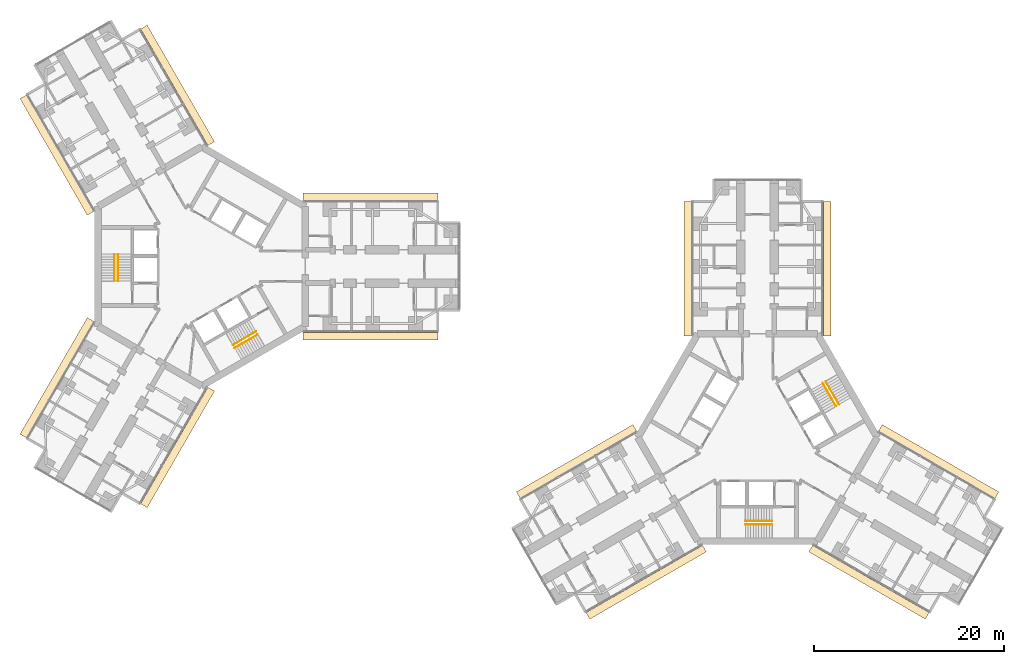
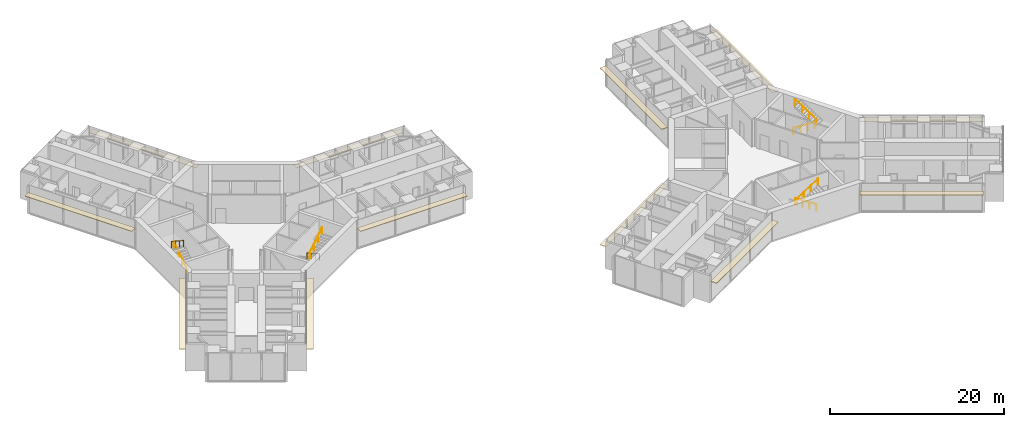
# One storey, part 24 of 24: 12 coverings, 8 railings.
"""IFC4 building model written with IfcOpenShell, lengths in metres."""

from ifc_helpers import new_model, si_unit, direction, frame, origin, origin_2d, place, context, subcontext, project, spatial, rectangle, circle, extrude, material, layer, layer_set, type_object, element, save


model = new_model("IFC4")

# Units and contexts
model_context = context("Model", 3, precision=1e-05, world=origin(), true_north=direction((0.0, 1.0)))
body_context = subcontext(model_context, "Body", "Model", "MODEL_VIEW")
ifc_project = project(units=[si_unit("LENGTHUNIT", "METRE"), si_unit("AREAUNIT", "SQUARE_METRE"), si_unit("VOLUMEUNIT", "CUBIC_METRE"), si_unit("PLANEANGLEUNIT", "RADIAN"), si_unit("MASSUNIT", "GRAM", prefix="KILO")], contexts=[model_context])

# Site, building, storey
site_placement = place(None, origin())
site = spatial("IfcSite", under=ifc_project, at=site_placement, CompositionType="ELEMENT")
building_placement = place(site_placement, origin())
building = spatial("IfcBuilding", under=site, at=building_placement, Name="Upepo Twin Towers", CompositionType="ELEMENT")
storey_placement = place(building_placement, frame((0.0, 0.0, 52.5)))
storey = spatial("IfcBuildingStorey", under=building, at=storey_placement, Name="L12", CompositionType="ELEMENT", Elevation=52.5)

# Coverings
ifc_material_1 = material(Name="Anodised aluminium, pale silver", Category="aluminium")
ifc_layer = layer(ifc_material_1, 0.080078125)
ifc_layer_set = layer_set([ifc_layer], Name="Brise-soleil blade 800 pale aluminium")
covering_type = type_object("IfcCoveringType", Name="Brise-soleil blade 800 pale aluminium", PredefinedType="USERDEFINED", material=ifc_layer_set)
for number, where, z_axis, x_axis, name in (
    (1, (17.7685546875, 7.330078125, 2.909912109375), (0.0, 0.0, 1.0), (1.0, 0.0, 0.0), "T1 L12 wing A brise-soleil L"),
    (2, (17.7685546875, -7.330078125, 2.909912109375), (0.0, 0.0, 1.0), (1.0, 0.0, 0.0), "T1 L12 wing A brise-soleil R"),
    (3, (-15.232177734375, 11.722900390625, 2.909912109375), (0.0, 0.0, 1.0), (-0.50000003023, 0.866025386331, 0.0), "T1 L12 wing B brise-soleil L"),
    (4, (-2.536376953125, 19.052978515625, 2.909912109375), (0.0, 0.0, 1.0), (-0.50000003023, 0.866025386331, 0.0), "T1 L12 wing B brise-soleil R"),
    (5, (-2.536376953125, -19.052978515625, 2.909912109375), (0.0, 0.0, 1.0), (-0.50000003023, -0.866025386331, 0.0), "T1 L12 wing C brise-soleil L"),
    (6, (-15.232177734375, -11.722900390625, 2.909912109375), (0.0, 0.0, 1.0), (-0.50000003023, -0.866025386331, 0.0), "T1 L12 wing C brise-soleil R"),
    (7, (51.169921875, -0.2314453125, 2.909912109375), (0.0, 0.0, 1.0), (0.0, 1.0, 0.0), "T2 L12 wing A brise-soleil L"),
    (8, (65.830078125, -0.2314453125, 2.909912109375), (0.0, 0.0, 1.0), (0.0, 1.0, 0.0), "T2 L12 wing A brise-soleil R"),
    (9, (46.777099609375, -33.232177734375, 2.909912109375), (0.0, 0.0, 1.0), (-0.866025386331, -0.50000003023, 0.0), "T2 L12 wing B brise-soleil L"),
    (10, (39.447021484375, -20.536376953125, 2.909912109375), (0.0, 0.0, 1.0), (-0.866025386331, -0.50000003023, 0.0), "T2 L12 wing B brise-soleil R"),
    (11, (77.552978515625, -20.536376953125, 2.909912109375), (0.0, 0.0, 1.0), (0.866025386331, -0.50000003023, 0.0), "T2 L12 wing C brise-soleil L"),
    (12, (70.222900390625, -33.232177734375, 2.909912109375), (0.0, 0.0, 1.0), (0.866025386331, -0.50000003023, 0.0), "T2 L12 wing C brise-soleil R"),
):
    element("IfcCovering", number, at=place(storey_placement, frame(where, z_axis=z_axis, x_axis=x_axis)), inside=storey, type_object=covering_type, Name=name, ObjectType="SUNSHADE", PredefinedType="USERDEFINED", context=body_context, shape_type="SweptSolid", body=[
        extrude(rectangle(XDim=14.162841796875, YDim=0.800048828125, at=origin_2d()), origin(), (0.0, 0.0, 1.0), 0.080078125),
    ])

# Railings
ifc_material_2 = material(Name="Stainless steel", Category="steel")
railing_type = type_object("IfcRailingType", Name="Stair handrail 900", PredefinedType="HANDRAIL", material=ifc_material_2)
railing_1_placement = place(storey_placement, frame((-8.800048828125, -1.52001953125, 0.181884765625)))
element("IfcRailing", 13, at=railing_1_placement, inside=storey, type_object=railing_type, Name="T1 stair S1 L12 handrail 1", PredefinedType="HANDRAIL", context=body_context, shape_type="SweptSolid", body=[
    extrude(circle(Radius=0.02392578125, at=origin_2d()), frame((0.0, 0.0, 0.8759765625), z_axis=(0.0, 0.838705829183, 0.544584733623), x_axis=(-1.0, 0.0, 0.0)), (0.0, 0.0, 1.0), 3.338623046875),
    extrude(circle(Radius=0.02099609375, at=origin_2d()), origin(), (0.0, 0.0, 1.0), 0.851806640625),
    extrude(circle(Radius=0.02099609375, at=origin_2d()), frame((0.0, 0.933349609375, 0.60595703125)), (0.0, 0.0, 1.0), 0.851806640625),
    extrude(circle(Radius=0.02099609375, at=origin_2d()), frame((0.0, 1.86669921875, 1.212158203125)), (0.0, 0.0, 1.0), 0.851806640625),
    extrude(circle(Radius=0.02099609375, at=origin_2d()), frame((0.0, 2.800048828125, 1.818115234375)), (0.0, 0.0, 1.0), 0.851806640625),
])
railing_2_placement = place(storey_placement, frame((-9.158447265625, 1.280029296875, 2.181884765625)))
element("IfcRailing", 14, at=railing_2_placement, inside=storey, type_object=railing_type, Name="T1 stair S1 L12 handrail 2", PredefinedType="HANDRAIL", context=body_context, shape_type="SweptSolid", body=[
    extrude(circle(Radius=0.02392578125, at=origin_2d()), frame((0.0, 0.0, 0.8759765625), z_axis=(0.0, -0.838705829183, 0.544584733623), x_axis=(1.0, 0.0, 0.0)), (0.0, 0.0, 1.0), 3.338623046875),
    extrude(circle(Radius=0.02099609375, at=origin_2d()), origin(), (0.0, 0.0, 1.0), 0.851806640625),
    extrude(circle(Radius=0.02099609375, at=origin_2d()), frame((0.0, -0.933349609375, 0.60595703125)), (0.0, 0.0, 1.0), 0.851806640625),
    extrude(circle(Radius=0.02099609375, at=origin_2d()), frame((0.0, -1.86669921875, 1.212158203125)), (0.0, 0.0, 1.0), 0.851806640625),
    extrude(circle(Radius=0.02099609375, at=origin_2d()), frame((0.0, -2.800048828125, 1.818115234375)), (0.0, 0.0, 1.0), 0.851806640625),
])
railing_3_placement = place(storey_placement, frame((5.71630859375, -6.861083984375, 0.181884765625)))
element("IfcRailing", 15, at=railing_3_placement, inside=storey, type_object=railing_type, Name="T1 stair S2 L12 handrail 1", PredefinedType="HANDRAIL", context=body_context, shape_type="SweptSolid", body=[
    extrude(circle(Radius=0.02392578125, at=origin_2d()), frame((0.0, 0.0, 0.8759765625), z_axis=(-0.726336304947, -0.419332699614, 0.544605966869), x_axis=(0.49998411664, -0.866034573852, 0.0)), (0.0, 0.0, 1.0), 3.33837890625),
    extrude(circle(Radius=0.02099609375, at=origin_2d()), origin(), (0.0, 0.0, 1.0), 0.851806640625),
    extrude(circle(Radius=0.02099609375, at=origin_2d()), frame((-0.808349609375, -0.466552734375, 0.60595703125)), (0.0, 0.0, 1.0), 0.851806640625),
    extrude(circle(Radius=0.02099609375, at=origin_2d()), frame((-1.616455078125, -0.933349609375, 1.212158203125)), (0.0, 0.0, 1.0), 0.851806640625),
    extrude(circle(Radius=0.02099609375, at=origin_2d()), frame((-2.4248046875, -1.39990234375, 1.818115234375)), (0.0, 0.0, 1.0), 0.851806640625),
])
railing_4_placement = place(storey_placement, frame((3.470703125, -8.5712890625, 2.181884765625)))
element("IfcRailing", 16, at=railing_4_placement, inside=storey, type_object=railing_type, Name="T1 stair S2 L12 handrail 2", PredefinedType="HANDRAIL", context=body_context, shape_type="SweptSolid", body=[
    extrude(circle(Radius=0.02392578125, at=origin_2d()), frame((0.0, 0.0, 0.8759765625), z_axis=(0.726336304947, 0.419332699614, 0.544605966869), x_axis=(-0.49998411664, 0.866034573852, 0.0)), (0.0, 0.0, 1.0), 3.33837890625),
    extrude(circle(Radius=0.02099609375, at=origin_2d()), origin(), (0.0, 0.0, 1.0), 0.851806640625),
    extrude(circle(Radius=0.02099609375, at=origin_2d()), frame((0.808349609375, 0.466552734375, 0.60595703125)), (0.0, 0.0, 1.0), 0.851806640625),
    extrude(circle(Radius=0.02099609375, at=origin_2d()), frame((1.616455078125, 0.933349609375, 1.212158203125)), (0.0, 0.0, 1.0), 0.851806640625),
    extrude(circle(Radius=0.02099609375, at=origin_2d()), frame((2.4248046875, 1.39990234375, 1.818115234375)), (0.0, 0.0, 1.0), 0.851806640625),
])
railing_5_placement = place(storey_placement, frame((60.02001953125, -26.800048828125, 0.181884765625)))
element("IfcRailing", 17, at=railing_5_placement, inside=storey, type_object=railing_type, Name="T2 stair S1 L12 handrail 1", PredefinedType="HANDRAIL", context=body_context, shape_type="SweptSolid", body=[
    extrude(circle(Radius=0.02392578125, at=origin_2d()), frame((0.0, 0.0, 0.8759765625), z_axis=(-0.838705829183, 0.0, 0.544584733623), x_axis=(0.0, -1.0, 0.0)), (0.0, 0.0, 1.0), 3.338623046875),
    extrude(circle(Radius=0.02099609375, at=origin_2d()), origin(), (0.0, 0.0, 1.0), 0.851806640625),
    extrude(circle(Radius=0.02099609375, at=origin_2d()), frame((-0.933349609375, 0.0, 0.60595703125)), (0.0, 0.0, 1.0), 0.851806640625),
    extrude(circle(Radius=0.02099609375, at=origin_2d()), frame((-1.86669921875, 0.0, 1.212158203125)), (0.0, 0.0, 1.0), 0.851806640625),
    extrude(circle(Radius=0.02099609375, at=origin_2d()), frame((-2.800048828125, 0.0, 1.818115234375)), (0.0, 0.0, 1.0), 0.851806640625),
])
railing_6_placement = place(storey_placement, frame((57.219970703125, -27.158447265625, 2.181884765625)))
element("IfcRailing", 18, at=railing_6_placement, inside=storey, type_object=railing_type, Name="T2 stair S1 L12 handrail 2", PredefinedType="HANDRAIL", context=body_context, shape_type="SweptSolid", body=[
    extrude(circle(Radius=0.02392578125, at=origin_2d()), frame((0.0, 0.0, 0.8759765625), z_axis=(0.838705829183, 0.0, 0.544584733623), x_axis=(0.0, 1.0, 0.0)), (0.0, 0.0, 1.0), 3.338623046875),
    extrude(circle(Radius=0.02099609375, at=origin_2d()), origin(), (0.0, 0.0, 1.0), 0.851806640625),
    extrude(circle(Radius=0.02099609375, at=origin_2d()), frame((0.933349609375, 0.0, 0.60595703125)), (0.0, 0.0, 1.0), 0.851806640625),
    extrude(circle(Radius=0.02099609375, at=origin_2d()), frame((1.86669921875, 0.0, 1.212158203125)), (0.0, 0.0, 1.0), 0.851806640625),
    extrude(circle(Radius=0.02099609375, at=origin_2d()), frame((2.800048828125, 0.0, 1.818115234375)), (0.0, 0.0, 1.0), 0.851806640625),
])
railing_7_placement = place(storey_placement, frame((65.361083984375, -12.28369140625, 0.181884765625)))
element("IfcRailing", 19, at=railing_7_placement, inside=storey, type_object=railing_type, Name="T2 stair S2 L12 handrail 1", PredefinedType="HANDRAIL", context=body_context, shape_type="SweptSolid", body=[
    extrude(circle(Radius=0.02392578125, at=origin_2d()), frame((0.0, 0.0, 0.8759765625), z_axis=(0.419332699614, -0.726336304947, 0.544605966869), x_axis=(0.866034573852, 0.49998411664, 0.0)), (0.0, 0.0, 1.0), 3.33837890625),
    extrude(circle(Radius=0.02099609375, at=origin_2d()), origin(), (0.0, 0.0, 1.0), 0.851806640625),
    extrude(circle(Radius=0.02099609375, at=origin_2d()), frame((0.466552734375, -0.808349609375, 0.60595703125)), (0.0, 0.0, 1.0), 0.851806640625),
    extrude(circle(Radius=0.02099609375, at=origin_2d()), frame((0.933349609375, -1.616455078125, 1.212158203125)), (0.0, 0.0, 1.0), 0.851806640625),
    extrude(circle(Radius=0.02099609375, at=origin_2d()), frame((1.39990234375, -2.4248046875, 1.818115234375)), (0.0, 0.0, 1.0), 0.851806640625),
])
railing_8_placement = place(storey_placement, frame((67.0712890625, -14.529296875, 2.181884765625)))
element("IfcRailing", 20, at=railing_8_placement, inside=storey, type_object=railing_type, Name="T2 stair S2 L12 handrail 2", PredefinedType="HANDRAIL", context=body_context, shape_type="SweptSolid", body=[
    extrude(circle(Radius=0.02392578125, at=origin_2d()), frame((0.0, 0.0, 0.8759765625), z_axis=(-0.419332699614, 0.726336304947, 0.544605966869), x_axis=(-0.866034573852, -0.49998411664, 0.0)), (0.0, 0.0, 1.0), 3.33837890625),
    extrude(circle(Radius=0.02099609375, at=origin_2d()), origin(), (0.0, 0.0, 1.0), 0.851806640625),
    extrude(circle(Radius=0.02099609375, at=origin_2d()), frame((-0.466552734375, 0.808349609375, 0.60595703125)), (0.0, 0.0, 1.0), 0.851806640625),
    extrude(circle(Radius=0.02099609375, at=origin_2d()), frame((-0.933349609375, 1.616455078125, 1.212158203125)), (0.0, 0.0, 1.0), 0.851806640625),
    extrude(circle(Radius=0.02099609375, at=origin_2d()), frame((-1.39990234375, 2.4248046875, 1.818115234375)), (0.0, 0.0, 1.0), 0.851806640625),
])

save(model, "model.ifc")
